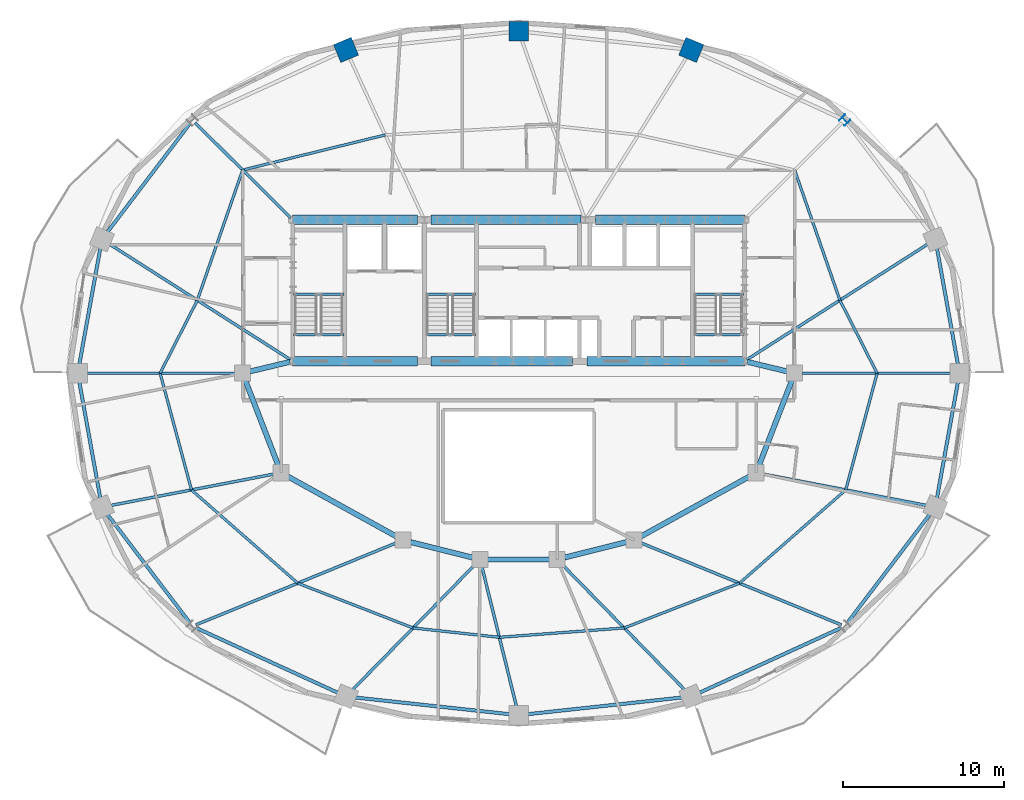
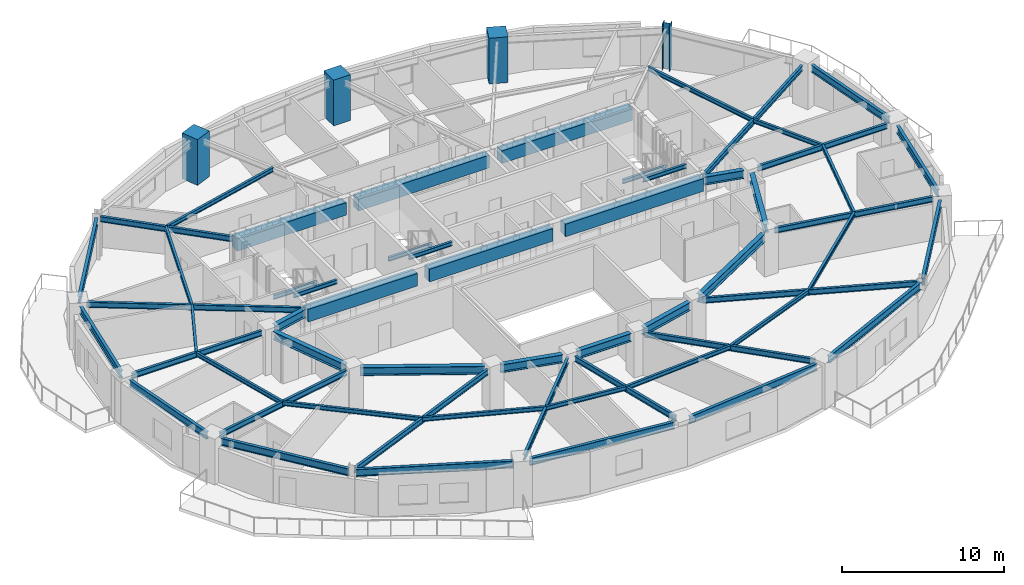
# One storey, part 2 of 10: 57 beams, 4 columns.
"""IFC4 building model written with IfcOpenShell, lengths in metres."""

from ifc_helpers import new_model, si_unit, direction, frame, origin, origin_2d, place, context, subcontext, project, spatial, rectangle, i_section, extrude, material, material_profile, profile_set, type_object, element, save


model = new_model("IFC4")

# Units and contexts
model_context = context("Model", 3, precision=1e-05, world=origin(), true_north=direction((0.0, 1.0)))
body_context = subcontext(model_context, "Body", "Model", "MODEL_VIEW")
ifc_project = project(units=[si_unit("LENGTHUNIT", "METRE"), si_unit("AREAUNIT", "SQUARE_METRE"), si_unit("VOLUMEUNIT", "CUBIC_METRE"), si_unit("PLANEANGLEUNIT", "RADIAN"), si_unit("MASSUNIT", "GRAM", prefix="KILO")], contexts=[model_context])

# Site, building, storey
site_placement = place(None, origin())
site = spatial("IfcSite", under=ifc_project, at=site_placement, CompositionType="ELEMENT")
building_placement = place(site_placement, origin())
building = spatial("IfcBuilding", under=site, at=building_placement, Name="Haldorwick Loom Tower", CompositionType="ELEMENT")
storey_placement = place(building_placement, frame((0.0, 0.0, 196.89990234375)))
storey = spatial("IfcBuildingStorey", under=building, at=storey_placement, Name="L53", CompositionType="ELEMENT", Elevation=196.89990234375)

# Columns
ifc_material_1 = material(Name="Concrete C60 (60 MPa)", Category="concrete")
ifc_material_profile_1 = material_profile(ifc_material_1, rectangle(XDim=1.199951171875, YDim=1.199951171875, at=origin_2d()), Name="RC1200X1200", Category="concrete")
ifc_profile_set_1 = profile_set([ifc_material_profile_1], Name="Concrete C60 (60 MPa)")
column_type_1 = type_object("IfcColumnType", Name="STR-COL-RC1200", PredefinedType="COLUMN", material=ifc_profile_set_1)
for number, where, z_axis, x_axis, name in (
    (1, (46.75341796875, 46.140625, 0.0), (0.0, 0.0, 1.0), (0.382683432365, 0.923879532511, 0.0), "L53 Perimeter Pier Column P04"),
    (2, (36.0, 47.304931640625, 0.0), (0.0, 0.0, 1.0), (0.0, 1.0, 0.0), "L53 Perimeter Pier Column P05"),
    (3, (25.24658203125, 46.140625, 0.0), (0.0, 0.0, 1.0), (-0.382683432365, 0.923879532511, 0.0), "L53 Perimeter Pier Column P06"),
):
    element("IfcColumn", number, at=place(storey_placement, frame(where, z_axis=z_axis, x_axis=x_axis)), inside=storey, type_object=column_type_1, Name=name, PredefinedType="COLUMN", context=body_context, shape_type="SweptSolid", body=[
        extrude(rectangle(XDim=1.199951171875, YDim=1.199951171875, at=origin_2d()), origin(), (0.0, 0.0, 1.0), 3.4501953125),
    ])
ifc_material_2 = material(Name="Steel CSA G40.21 350WT", Category="steel")
ifc_material_profile_2 = material_profile(ifc_material_2, i_section(OverallWidth=0.5, OverallDepth=0.5, WebThickness=0.02197265625, FlangeThickness=0.031982421875, at=origin_2d()), Name="WWF500X500", Category="steel")
ifc_profile_set_2 = profile_set([ifc_material_profile_2], Name="Steel CSA G40.21 350WT")
column_type_2 = type_object("IfcColumnType", Name="STR-COL-WWF500", PredefinedType="COLUMN", material=ifc_profile_set_2)
column_placement = place(storey_placement, frame((56.317626953125, 41.764892578125, 0.0), z_axis=(0.0, 0.0, 1.0), x_axis=(0.707106781187, 0.707106781187, 0.0)))
element("IfcColumn", 4, at=column_placement, inside=storey, type_object=column_type_2, Name="L53 Perimeter Pier Column P03", PredefinedType="COLUMN", context=body_context, shape_type="SweptSolid", body=[
    extrude(i_section(OverallWidth=0.5, OverallDepth=0.5, WebThickness=0.02197265625, FlangeThickness=0.031982421875, at=origin_2d()), origin(), (0.0, 0.0, 1.0), 3.4501953125),
])

# Beams
ifc_material_3 = material(Name="Concrete C50 (50 MPa)", Category="concrete")
ifc_material_profile_3 = material_profile(ifc_material_3, rectangle(XDim=0.60009765625, YDim=0.949951171875, at=origin_2d()), Name="RC600X950", Category="concrete")
ifc_profile_set_3 = profile_set([ifc_material_profile_3], Name="Concrete C50 (50 MPa)")
beam_type_1 = type_object("IfcBeamType", Name="STR-BM-CB950", PredefinedType="LINTEL", material=ifc_profile_set_3)
beam_1_placement = place(storey_placement, frame((21.89990234375, 35.550048828125, 2.695068359375), z_axis=(1.0, 0.0, 0.0), x_axis=(0.0, 1.0, 0.0)))
element("IfcBeam", 5, at=beam_1_placement, inside=storey, type_object=beam_type_1, Name="L53 Core Coupling Beam CB-N1", PredefinedType="LINTEL", context=body_context, shape_type="SweptSolid", body=[
    extrude(rectangle(XDim=0.60009765625, YDim=0.949951171875, at=origin_2d()), origin(), (0.0, 0.0, 1.0), 7.800048828125),
])
beam_2_placement = place(storey_placement, frame((30.550048828125, 35.550048828125, 2.695068359375), z_axis=(1.0, 0.0, 0.0), x_axis=(0.0, 1.0, 0.0)))
element("IfcBeam", 6, at=beam_2_placement, inside=storey, type_object=beam_type_1, Name="L53 Core Coupling Beam CB-N2", PredefinedType="LINTEL", context=body_context, shape_type="SweptSolid", body=[
    extrude(rectangle(XDim=0.60009765625, YDim=0.949951171875, at=origin_2d()), origin(), (0.0, 0.0, 1.0), 9.349853515625),
])
beam_3_placement = place(storey_placement, frame((40.800048828125, 35.550048828125, 2.695068359375), z_axis=(1.0, 0.0, 0.0), x_axis=(0.0, 1.0, 0.0)))
element("IfcBeam", 7, at=beam_3_placement, inside=storey, type_object=beam_type_1, Name="L53 Core Coupling Beam CB-N3", PredefinedType="LINTEL", context=body_context, shape_type="SweptSolid", body=[
    extrude(rectangle(XDim=0.60009765625, YDim=0.949951171875, at=origin_2d()), origin(), (0.0, 0.0, 1.0), 9.300048828125),
])
beam_4_placement = place(storey_placement, frame((21.89990234375, 26.75, 2.695068359375), z_axis=(1.0, 0.0, 0.0), x_axis=(0.0, 1.0, 0.0)))
element("IfcBeam", 8, at=beam_4_placement, inside=storey, type_object=beam_type_1, Name="L53 Core Coupling Beam CB-S1", PredefinedType="LINTEL", context=body_context, shape_type="SweptSolid", body=[
    extrude(rectangle(XDim=0.60009765625, YDim=0.949951171875, at=origin_2d()), origin(), (0.0, 0.0, 1.0), 7.800048828125),
])
beam_5_placement = place(storey_placement, frame((30.550048828125, 26.75, 2.695068359375), z_axis=(1.0, 0.0, 0.0), x_axis=(0.0, 1.0, 0.0)))
element("IfcBeam", 9, at=beam_5_placement, inside=storey, type_object=beam_type_1, Name="L53 Core Coupling Beam CB-S2", PredefinedType="LINTEL", context=body_context, shape_type="SweptSolid", body=[
    extrude(rectangle(XDim=0.60009765625, YDim=0.949951171875, at=origin_2d()), origin(), (0.0, 0.0, 1.0), 8.800048828125),
])
beam_6_placement = place(storey_placement, frame((40.25, 26.75, 2.695068359375), z_axis=(1.0, 0.0, 0.0), x_axis=(0.0, 1.0, 0.0)))
element("IfcBeam", 10, at=beam_6_placement, inside=storey, type_object=beam_type_1, Name="L53 Core Coupling Beam CB-S3", PredefinedType="LINTEL", context=body_context, shape_type="SweptSolid", body=[
    extrude(rectangle(XDim=0.60009765625, YDim=0.949951171875, at=origin_2d()), origin(), (0.0, 0.0, 1.0), 9.85009765625),
])
ifc_material_4 = material(Name="Steel CSA G40.21 350W", Category="steel")
ifc_material_profile_4 = material_profile(ifc_material_4, i_section(OverallWidth=0.166015625, OverallDepth=0.31298828125, WebThickness=0.006591796875, FlangeThickness=0.01123046875, at=origin_2d()), Name="W310X45", Category="steel")
ifc_profile_set_4 = profile_set([ifc_material_profile_4], Name="Steel CSA G40.21 350W")
beam_type_2 = type_object("IfcBeamType", Name="STR-BM-J310", PredefinedType="JOIST", material=ifc_profile_set_4)
beam_7_placement = place(storey_placement, frame((58.333251953125, 26.0, 3.013671875), z_axis=(-0.454203827517, 0.890897796085, 0.0), x_axis=(-0.890897796085, -0.454203827517, 0.0)))
element("IfcBeam", 11, at=beam_7_placement, inside=storey, type_object=beam_type_2, Name="L53 Mid-Bay Secondary Joist 1", PredefinedType="JOIST", context=body_context, shape_type="SweptSolid", body=[
    extrude(i_section(OverallWidth=0.166015625, OverallDepth=0.31298828125, WebThickness=0.006591796875, FlangeThickness=0.01123046875, at=origin_2d()), origin(), (0.0, 0.0, 1.0), 5.103271484375),
])
beam_8_placement = place(storey_placement, frame((56.015380859375, 30.54638671875, 3.013671875), z_axis=(-0.328550395803, 0.944486441098, 0.0), x_axis=(-0.944486441098, -0.328550395803, 0.0)))
element("IfcBeam", 12, at=beam_8_placement, inside=storey, type_object=beam_type_2, Name="L53 Mid-Bay Secondary Joist 2", PredefinedType="JOIST", context=body_context, shape_type="SweptSolid", body=[
    extrude(i_section(OverallWidth=0.166015625, OverallDepth=0.31298828125, WebThickness=0.006591796875, FlangeThickness=0.01123046875, at=origin_2d()), origin(), (0.0, 0.0, 1.0), 8.587890625),
])
beam_9_placement = place(storey_placement, frame((27.688232421875, 40.84521484375, 3.013671875), z_axis=(-0.970979703726, -0.239161901132, 0.0), x_axis=(0.239161901132, -0.970979703726, 0.0)))
element("IfcBeam", 13, at=beam_9_placement, inside=storey, type_object=beam_type_2, Name="L53 Mid-Bay Secondary Joist 6", PredefinedType="JOIST", context=body_context, shape_type="SweptSolid", body=[
    extrude(i_section(OverallWidth=0.166015625, OverallDepth=0.31298828125, WebThickness=0.006591796875, FlangeThickness=0.01123046875, at=origin_2d()), origin(), (0.0, 0.0, 1.0), 9.1474609375),
])
beam_10_placement = place(storey_placement, frame((18.80615234375, 38.657470703125, 3.013671875), z_axis=(-0.328550395803, -0.944486441098, 0.0), x_axis=(0.944486441098, -0.328550395803, 0.0)))
element("IfcBeam", 14, at=beam_10_placement, inside=storey, type_object=beam_type_2, Name="L53 Mid-Bay Secondary Joist 7", PredefinedType="JOIST", context=body_context, shape_type="SweptSolid", body=[
    extrude(i_section(OverallWidth=0.166015625, OverallDepth=0.31298828125, WebThickness=0.006591796875, FlangeThickness=0.01123046875, at=origin_2d()), origin(), (0.0, 0.0, 1.0), 8.587890625),
])
beam_11_placement = place(storey_placement, frame((15.984619140625, 30.54638671875, 3.013671875), z_axis=(-0.454203827517, -0.890897796085, 0.0), x_axis=(0.890897796085, -0.454203827517, 0.0)))
element("IfcBeam", 15, at=beam_11_placement, inside=storey, type_object=beam_type_2, Name="L53 Mid-Bay Secondary Joist 8", PredefinedType="JOIST", context=body_context, shape_type="SweptSolid", body=[
    extrude(i_section(OverallWidth=0.166015625, OverallDepth=0.31298828125, WebThickness=0.006591796875, FlangeThickness=0.01123046875, at=origin_2d()), origin(), (0.0, 0.0, 1.0), 5.103271484375),
])
beam_12_placement = place(storey_placement, frame((13.666748046875, 26.0, 3.013671875), z_axis=(0.259353588718, -0.965782437208, 0.0), x_axis=(0.965782437208, 0.259353588718, 0.0)))
element("IfcBeam", 16, at=beam_12_placement, inside=storey, type_object=beam_type_2, Name="L53 Mid-Bay Secondary Joist 9", PredefinedType="JOIST", context=body_context, shape_type="SweptSolid", body=[
    extrude(i_section(OverallWidth=0.166015625, OverallDepth=0.31298828125, WebThickness=0.006591796875, FlangeThickness=0.01123046875, at=origin_2d()), origin(), (0.0, 0.0, 1.0), 7.52880859375),
])
beam_13_placement = place(storey_placement, frame((15.619384765625, 18.728759765625, 3.013671875), z_axis=(0.751609427289, -0.659608420815, 0.0), x_axis=(0.659608420815, 0.751609427289, 0.0)))
element("IfcBeam", 17, at=beam_13_placement, inside=storey, type_object=beam_type_2, Name="L53 Mid-Bay Secondary Joist 10", PredefinedType="JOIST", context=body_context, shape_type="SweptSolid", body=[
    extrude(i_section(OverallWidth=0.166015625, OverallDepth=0.31298828125, WebThickness=0.006591796875, FlangeThickness=0.01123046875, at=origin_2d()), origin(), (0.0, 0.0, 1.0), 8.810302734375),
])
beam_14_placement = place(storey_placement, frame((22.2412109375, 12.91748046875, 3.013671875), z_axis=(0.932232852675, -0.36185896202, 0.0), x_axis=(0.36185896202, 0.932232852675, 0.0)))
element("IfcBeam", 18, at=beam_14_placement, inside=storey, type_object=beam_type_2, Name="L53 Mid-Bay Secondary Joist 11", PredefinedType="JOIST", context=body_context, shape_type="SweptSolid", body=[
    extrude(i_section(OverallWidth=0.166015625, OverallDepth=0.31298828125, WebThickness=0.006591796875, FlangeThickness=0.01123046875, at=origin_2d()), origin(), (0.0, 0.0, 1.0), 7.7041015625),
])
beam_15_placement = place(storey_placement, frame((29.42333984375, 10.129638671875, 3.013671875), z_axis=(0.994191913888, -0.107621737398, 0.0), x_axis=(0.107621737398, 0.994191913888, 0.0)))
element("IfcBeam", 19, at=beam_15_placement, inside=storey, type_object=beam_type_2, Name="L53 Mid-Bay Secondary Joist 12", PredefinedType="JOIST", context=body_context, shape_type="SweptSolid", body=[
    extrude(i_section(OverallWidth=0.166015625, OverallDepth=0.31298828125, WebThickness=0.006591796875, FlangeThickness=0.01123046875, at=origin_2d()), origin(), (0.0, 0.0, 1.0), 5.408203125),
])
beam_16_placement = place(storey_placement, frame((34.800048828125, 9.547607421875, 3.013671875), z_axis=(0.997210913817, 0.074635067923, 0.0), x_axis=(-0.074635067923, 0.997210913817, 0.0)))
element("IfcBeam", 20, at=beam_16_placement, inside=storey, type_object=beam_type_2, Name="L53 Mid-Bay Secondary Joist 13", PredefinedType="JOIST", context=body_context, shape_type="SweptSolid", body=[
    extrude(i_section(OverallWidth=0.166015625, OverallDepth=0.31298828125, WebThickness=0.006591796875, FlangeThickness=0.01123046875, at=origin_2d()), origin(), (0.0, 0.0, 1.0), 7.79833984375),
])
beam_17_placement = place(storey_placement, frame((42.57666015625, 10.129638671875, 3.013671875), z_axis=(0.932232852675, 0.36185896202, 0.0), x_axis=(-0.36185896202, 0.932232852675, 0.0)))
element("IfcBeam", 21, at=beam_17_placement, inside=storey, type_object=beam_type_2, Name="L53 Mid-Bay Secondary Joist 14", PredefinedType="JOIST", context=body_context, shape_type="SweptSolid", body=[
    extrude(i_section(OverallWidth=0.166015625, OverallDepth=0.31298828125, WebThickness=0.006591796875, FlangeThickness=0.01123046875, at=origin_2d()), origin(), (0.0, 0.0, 1.0), 7.7041015625),
])
beam_18_placement = place(storey_placement, frame((49.7587890625, 12.91748046875, 3.013671875), z_axis=(0.751609427289, 0.659608420815, 0.0), x_axis=(-0.659608420815, 0.751609427289, 0.0)))
element("IfcBeam", 22, at=beam_18_placement, inside=storey, type_object=beam_type_2, Name="L53 Mid-Bay Secondary Joist 15", PredefinedType="JOIST", context=body_context, shape_type="SweptSolid", body=[
    extrude(i_section(OverallWidth=0.166015625, OverallDepth=0.31298828125, WebThickness=0.006591796875, FlangeThickness=0.01123046875, at=origin_2d()), origin(), (0.0, 0.0, 1.0), 8.810302734375),
])
beam_19_placement = place(storey_placement, frame((56.380615234375, 18.728759765625, 3.013671875), z_axis=(0.259353588718, 0.965782437208, 0.0), x_axis=(-0.965782437208, 0.259353588718, 0.0)))
element("IfcBeam", 23, at=beam_19_placement, inside=storey, type_object=beam_type_2, Name="L53 Mid-Bay Secondary Joist 16", PredefinedType="JOIST", context=body_context, shape_type="SweptSolid", body=[
    extrude(i_section(OverallWidth=0.166015625, OverallDepth=0.31298828125, WebThickness=0.006591796875, FlangeThickness=0.01123046875, at=origin_2d()), origin(), (0.0, 0.0, 1.0), 7.52880859375),
])
ifc_material_profile_5 = material_profile(ifc_material_4, i_section(OverallWidth=0.179931640625, OverallDepth=0.4130859375, WebThickness=0.009765625, FlangeThickness=0.01611328125, at=origin_2d()), Name="W410X74", Category="steel")
ifc_profile_set_5 = profile_set([ifc_material_profile_5], Name="Steel CSA G40.21 350W")
beam_type_3 = type_object("IfcBeamType", Name="STR-BM-J410", PredefinedType="JOIST", material=ifc_profile_set_5)
beam_20_placement = place(storey_placement, frame((53.675048828125, 26.0, 2.963623046875), z_axis=(1.0, 0.0, 0.0), x_axis=(0.0, 1.0, 0.0)))
element("IfcBeam", 24, at=beam_20_placement, inside=storey, type_object=beam_type_3, Name="L53 Radial Floor Girder 1", PredefinedType="JOIST", context=body_context, shape_type="SweptSolid", body=[
    extrude(i_section(OverallWidth=0.179931640625, OverallDepth=0.4130859375, WebThickness=0.009765625, FlangeThickness=0.01611328125, at=origin_2d()), origin(), (0.0, 0.0, 1.0), 9.271240234375),
])
beam_21_placement = place(storey_placement, frame((50.219970703125, 26.845703125, 2.963623046875), z_axis=(0.842836647066, 0.538169477361, 0.0), x_axis=(-0.538169477361, 0.842836647066, 0.0)))
element("IfcBeam", 25, at=beam_21_placement, inside=storey, type_object=beam_type_3, Name="L53 Radial Floor Girder 2", PredefinedType="JOIST", context=body_context, shape_type="SweptSolid", body=[
    extrude(i_section(OverallWidth=0.179931640625, OverallDepth=0.4130859375, WebThickness=0.009765625, FlangeThickness=0.01611328125, at=origin_2d()), origin(), (0.0, 0.0, 1.0), 13.410400390625),
])
beam_22_placement = place(storey_placement, frame((21.8037109375, 35.675537109375, 2.963623046875), z_axis=(-0.708962390492, 0.70524628951, 0.0), x_axis=(-0.70524628951, -0.708962390492, 0.0)))
element("IfcBeam", 26, at=beam_22_placement, inside=storey, type_object=beam_type_3, Name="L53 Radial Floor Girder 7", PredefinedType="JOIST", context=body_context, shape_type="SweptSolid", body=[
    extrude(i_section(OverallWidth=0.179931640625, OverallDepth=0.4130859375, WebThickness=0.009765625, FlangeThickness=0.01611328125, at=origin_2d()), origin(), (0.0, 0.0, 1.0), 8.409423828125),
])
beam_23_placement = place(storey_placement, frame((21.780029296875, 26.845703125, 2.963623046875), z_axis=(-0.842836647066, 0.538169477361, 0.0), x_axis=(-0.538169477361, -0.842836647066, 0.0)))
element("IfcBeam", 27, at=beam_23_placement, inside=storey, type_object=beam_type_3, Name="L53 Radial Floor Girder 8", PredefinedType="JOIST", context=body_context, shape_type="SweptSolid", body=[
    extrude(i_section(OverallWidth=0.179931640625, OverallDepth=0.4130859375, WebThickness=0.009765625, FlangeThickness=0.01611328125, at=origin_2d()), origin(), (0.0, 0.0, 1.0), 13.410400390625),
])
beam_24_placement = place(storey_placement, frame((18.324951171875, 26.0, 2.963623046875), z_axis=(-1.0, 0.0, 0.0), x_axis=(0.0, -1.0, 0.0)))
element("IfcBeam", 28, at=beam_24_placement, inside=storey, type_object=beam_type_3, Name="L53 Radial Floor Girder 9", PredefinedType="JOIST", context=body_context, shape_type="SweptSolid", body=[
    extrude(i_section(OverallWidth=0.179931640625, OverallDepth=0.4130859375, WebThickness=0.009765625, FlangeThickness=0.01611328125, at=origin_2d()), origin(), (0.0, 0.0, 1.0), 9.271240234375),
])
beam_25_placement = place(storey_placement, frame((20.7333984375, 19.71044921875, 2.963623046875), z_axis=(-0.982069869785, -0.188517295919, 0.0), x_axis=(0.188517295919, -0.982069869785, 0.0)))
element("IfcBeam", 29, at=beam_25_placement, inside=storey, type_object=beam_type_3, Name="L53 Radial Floor Girder 10", PredefinedType="JOIST", context=body_context, shape_type="SweptSolid", body=[
    extrude(i_section(OverallWidth=0.179931640625, OverallDepth=0.4130859375, WebThickness=0.009765625, FlangeThickness=0.01611328125, at=origin_2d()), origin(), (0.0, 0.0, 1.0), 10.36962890625),
])
beam_26_placement = place(storey_placement, frame((28.3603515625, 15.420166015625, 2.963623046875), z_axis=(-0.925583323606, -0.378543935445, 0.0), x_axis=(0.378543935445, -0.925583323606, 0.0)))
element("IfcBeam", 30, at=beam_26_placement, inside=storey, type_object=beam_type_3, Name="L53 Radial Floor Girder 11", PredefinedType="JOIST", context=body_context, shape_type="SweptSolid", body=[
    extrude(i_section(OverallWidth=0.179931640625, OverallDepth=0.4130859375, WebThickness=0.009765625, FlangeThickness=0.01611328125, at=origin_2d()), origin(), (0.0, 0.0, 1.0), 13.47216796875),
])
beam_27_placement = place(storey_placement, frame((33.267822265625, 14.060302734375, 2.963623046875), z_axis=(-0.699238682239, -0.714888288658, 0.0), x_axis=(0.714888288658, -0.699238682239, 0.0)))
element("IfcBeam", 31, at=beam_27_placement, inside=storey, type_object=beam_type_3, Name="L53 Radial Floor Girder 12", PredefinedType="JOIST", context=body_context, shape_type="SweptSolid", body=[
    extrude(i_section(OverallWidth=0.179931640625, OverallDepth=0.4130859375, WebThickness=0.009765625, FlangeThickness=0.01611328125, at=origin_2d()), origin(), (0.0, 0.0, 1.0), 10.951416015625),
])
beam_28_placement = place(storey_placement, frame((33.714111328125, 13.93896484375, 2.963623046875), z_axis=(0.240059013303, -0.970758296453, 0.0), x_axis=(0.970758296453, 0.240059013303, 0.0)))
element("IfcBeam", 32, at=beam_28_placement, inside=storey, type_object=beam_type_3, Name="L53 Radial Floor Girder 13", PredefinedType="JOIST", context=body_context, shape_type="SweptSolid", body=[
    extrude(i_section(OverallWidth=0.179931640625, OverallDepth=0.4130859375, WebThickness=0.009765625, FlangeThickness=0.01611328125, at=origin_2d()), origin(), (0.0, 0.0, 1.0), 9.00244140625),
])
beam_29_placement = place(storey_placement, frame((38.732177734375, 14.060302734375, 2.963623046875), z_axis=(0.699238682239, -0.714888288658, 0.0), x_axis=(0.714888288658, 0.699238682239, 0.0)))
element("IfcBeam", 33, at=beam_29_placement, inside=storey, type_object=beam_type_3, Name="L53 Radial Floor Girder 14", PredefinedType="JOIST", context=body_context, shape_type="SweptSolid", body=[
    extrude(i_section(OverallWidth=0.179931640625, OverallDepth=0.4130859375, WebThickness=0.009765625, FlangeThickness=0.01611328125, at=origin_2d()), origin(), (0.0, 0.0, 1.0), 10.951416015625),
])
beam_30_placement = place(storey_placement, frame((43.6396484375, 15.420166015625, 2.963623046875), z_axis=(0.925583323606, -0.378543935445, 0.0), x_axis=(0.378543935445, 0.925583323606, 0.0)))
element("IfcBeam", 34, at=beam_30_placement, inside=storey, type_object=beam_type_3, Name="L53 Radial Floor Girder 15", PredefinedType="JOIST", context=body_context, shape_type="SweptSolid", body=[
    extrude(i_section(OverallWidth=0.179931640625, OverallDepth=0.4130859375, WebThickness=0.009765625, FlangeThickness=0.01611328125, at=origin_2d()), origin(), (0.0, 0.0, 1.0), 13.47216796875),
])
beam_31_placement = place(storey_placement, frame((51.2666015625, 19.71044921875, 2.963623046875), z_axis=(0.982069869785, -0.188517295919, 0.0), x_axis=(0.188517295919, 0.982069869785, 0.0)))
element("IfcBeam", 35, at=beam_31_placement, inside=storey, type_object=beam_type_3, Name="L53 Radial Floor Girder 16", PredefinedType="JOIST", context=body_context, shape_type="SweptSolid", body=[
    extrude(i_section(OverallWidth=0.179931640625, OverallDepth=0.4130859375, WebThickness=0.009765625, FlangeThickness=0.01611328125, at=origin_2d()), origin(), (0.0, 0.0, 1.0), 10.36962890625),
])
ifc_material_profile_6 = material_profile(ifc_material_4, i_section(OverallWidth=0.2119140625, OverallDepth=0.5439453125, WebThickness=0.01318359375, FlangeThickness=0.021240234375, at=origin_2d()), Name="W530X123", Category="steel")
ifc_profile_set_6 = profile_set([ifc_material_profile_6], Name="Steel CSA G40.21 350W")
beam_type_4 = type_object("IfcBeamType", Name="STR-BM-SP530", PredefinedType="SPANDREL", material=ifc_profile_set_6)
beam_32_placement = place(storey_placement, frame((63.3740234375, 26.51171875, 2.898193359375), z_axis=(-0.1775911332, 0.984104359003, 0.0), x_axis=(-0.984104359003, -0.1775911332, 0.0)))
element("IfcBeam", 36, at=beam_32_placement, inside=storey, type_object=beam_type_4, Name="L53 Perimeter Spandrel 1", PredefinedType="SPANDREL", context=body_context, shape_type="SweptSolid", body=[
    extrude(i_section(OverallWidth=0.2119140625, OverallDepth=0.5439453125, WebThickness=0.01318359375, FlangeThickness=0.021240234375, at=origin_2d()), origin(), (0.0, 0.0, 1.0), 7.437255859375),
])
beam_33_placement = place(storey_placement, frame((15.546142578125, 41.585693359375, 2.898193359375), z_axis=(-0.605236944797, -0.796045376001, 0.0), x_axis=(0.796045376001, -0.605236944797, 0.0)))
element("IfcBeam", 37, at=beam_33_placement, inside=storey, type_object=beam_type_4, Name="L53 Perimeter Spandrel 7", PredefinedType="SPANDREL", context=body_context, shape_type="SweptSolid", body=[
    extrude(i_section(OverallWidth=0.2119140625, OverallDepth=0.5439453125, WebThickness=0.01318359375, FlangeThickness=0.021240234375, at=origin_2d()), origin(), (0.0, 0.0, 1.0), 8.5791015625),
])
for number, where, z_axis, x_axis, name in (
    (38, (9.94677734375, 33.830810546875, 2.898193359375), (-0.1775911332, -0.984104359003, 0.0), (0.984104359003, -0.1775911332, 0.0), "L53 Perimeter Spandrel 8"),
    (39, (8.6259765625, 25.48828125, 2.898193359375), (0.1775911332, -0.984104359003, 0.0), (0.984104359003, 0.1775911332, 0.0), "L53 Perimeter Spandrel 9"),
):
    element("IfcBeam", number, at=place(storey_placement, frame(where, z_axis=z_axis, x_axis=x_axis)), inside=storey, type_object=beam_type_4, Name=name, PredefinedType="SPANDREL", context=body_context, shape_type="SweptSolid", body=[
        extrude(i_section(OverallWidth=0.2119140625, OverallDepth=0.5439453125, WebThickness=0.01318359375, FlangeThickness=0.021240234375, at=origin_2d()), origin(), (0.0, 0.0, 1.0), 7.437255859375),
    ])
beam_34_placement = place(storey_placement, frame((10.353759765625, 17.24365234375, 2.898193359375), z_axis=(0.605236944797, -0.796045376001, 0.0), x_axis=(0.796045376001, 0.605236944797, 0.0)))
element("IfcBeam", 40, at=beam_34_placement, inside=storey, type_object=beam_type_4, Name="L53 Perimeter Spandrel 10", PredefinedType="SPANDREL", context=body_context, shape_type="SweptSolid", body=[
    extrude(i_section(OverallWidth=0.2119140625, OverallDepth=0.5439453125, WebThickness=0.01318359375, FlangeThickness=0.021240234375, at=origin_2d()), origin(), (0.0, 0.0, 1.0), 8.5791015625),
])
beam_35_placement = place(storey_placement, frame((15.886962890625, 10.1416015625, 2.898193359375), z_axis=(0.909342182232, -0.416049030299, 0.0), x_axis=(0.416049030299, 0.909342182232, 0.0)))
element("IfcBeam", 41, at=beam_35_placement, inside=storey, type_object=beam_type_4, Name="L53 Perimeter Spandrel 11", PredefinedType="SPANDREL", context=body_context, shape_type="SweptSolid", body=[
    extrude(i_section(OverallWidth=0.2119140625, OverallDepth=0.5439453125, WebThickness=0.01318359375, FlangeThickness=0.021240234375, at=origin_2d()), origin(), (0.0, 0.0, 1.0), 9.772705078125),
])
for number, where, z_axis, x_axis, name in (
    (42, (25.763671875, 5.803466796875, 2.898193359375), (0.994187774205, -0.107659972233, 0.0), (0.107659972233, 0.994187774205, 0.0), "L53 Perimeter Spandrel 12"),
    (43, (36.51708984375, 4.7509765625, 2.898193359375), (0.994187774205, 0.107659972233, 0.0), (-0.107659972233, 0.994187774205, 0.0), "L53 Perimeter Spandrel 13"),
):
    element("IfcBeam", number, at=place(storey_placement, frame(where, z_axis=z_axis, x_axis=x_axis)), inside=storey, type_object=beam_type_4, Name=name, PredefinedType="SPANDREL", context=body_context, shape_type="SweptSolid", body=[
        extrude(i_section(OverallWidth=0.2119140625, OverallDepth=0.5439453125, WebThickness=0.01318359375, FlangeThickness=0.021240234375, at=origin_2d()), origin(), (0.0, 0.0, 1.0), 9.776123046875),
    ])
beam_36_placement = place(storey_placement, frame((47.226318359375, 6.07568359375, 2.898193359375), z_axis=(0.909342182232, 0.416049030299, 0.0), x_axis=(-0.416049030299, 0.909342182232, 0.0)))
element("IfcBeam", 44, at=beam_36_placement, inside=storey, type_object=beam_type_4, Name="L53 Perimeter Spandrel 14", PredefinedType="SPANDREL", context=body_context, shape_type="SweptSolid", body=[
    extrude(i_section(OverallWidth=0.2119140625, OverallDepth=0.5439453125, WebThickness=0.01318359375, FlangeThickness=0.021240234375, at=origin_2d()), origin(), (0.0, 0.0, 1.0), 9.772705078125),
])
beam_37_placement = place(storey_placement, frame((56.453857421875, 10.414306640625, 2.898193359375), z_axis=(0.605236944797, 0.796045376001, 0.0), x_axis=(-0.796045376001, 0.605236944797, 0.0)))
element("IfcBeam", 45, at=beam_37_placement, inside=storey, type_object=beam_type_4, Name="L53 Perimeter Spandrel 15", PredefinedType="SPANDREL", context=body_context, shape_type="SweptSolid", body=[
    extrude(i_section(OverallWidth=0.2119140625, OverallDepth=0.5439453125, WebThickness=0.01318359375, FlangeThickness=0.021240234375, at=origin_2d()), origin(), (0.0, 0.0, 1.0), 8.5791015625),
])
beam_38_placement = place(storey_placement, frame((62.05322265625, 18.169189453125, 2.898193359375), z_axis=(0.1775911332, 0.984104359003, 0.0), x_axis=(-0.984104359003, 0.1775911332, 0.0)))
element("IfcBeam", 46, at=beam_38_placement, inside=storey, type_object=beam_type_4, Name="L53 Perimeter Spandrel 16", PredefinedType="SPANDREL", context=body_context, shape_type="SweptSolid", body=[
    extrude(i_section(OverallWidth=0.2119140625, OverallDepth=0.5439453125, WebThickness=0.01318359375, FlangeThickness=0.021240234375, at=origin_2d()), origin(), (0.0, 0.0, 1.0), 7.437255859375),
])
ifc_material_profile_7 = material_profile(ifc_material_4, i_section(OverallWidth=0.166015625, OverallDepth=0.31298828125, WebThickness=0.006591796875, FlangeThickness=0.01123046875, at=origin_2d()), Name="W310X45", Category="steel")
ifc_profile_set_7 = profile_set([ifc_material_profile_7], Name="Steel CSA G40.21 350W")
beam_type_5 = type_object("IfcBeamType", Name="STR-BM-STRM", PredefinedType="BEAM", material=ifc_profile_set_7)
for number, where, z_axis, x_axis, name in (
    (47, (21.989990234375, 28.39990234375, 3.013671875), (1.0, 0.0, 0.0), (0.0, 1.0, 0.0), "L53 Stair ST-01 Landing Edge Trimmer"),
    (48, (21.989990234375, 30.919921875, 1.36865234375), (1.0, 0.0, 0.0), (0.0, 1.0, 0.0), "L53 Stair ST-01 Half-Landing Trimmer 1"),
    (49, (46.889892578125, 28.39990234375, 3.013671875), (1.0, 0.0, 0.0), (0.0, 1.0, 0.0), "L53 Stair ST-02 Landing Edge Trimmer"),
    (50, (46.889892578125, 30.919921875, 1.36865234375), (1.0, 0.0, 0.0), (0.0, 1.0, 0.0), "L53 Stair ST-02 Half-Landing Trimmer 1"),
    (51, (30.18994140625, 28.39990234375, 3.013671875), (1.0, 0.0, 0.0), (0.0, 1.0, 0.0), "L53 Stair ST-03 Landing Edge Trimmer"),
    (52, (30.18994140625, 30.919921875, 1.36865234375), (1.0, 0.0, 0.0), (0.0, 1.0, 0.0), "L53 Stair ST-03 Half-Landing Trimmer 1"),
):
    element("IfcBeam", number, at=place(storey_placement, frame(where, z_axis=z_axis, x_axis=x_axis)), inside=storey, type_object=beam_type_5, Name=name, PredefinedType="BEAM", context=body_context, shape_type="SweptSolid", body=[
        extrude(i_section(OverallWidth=0.166015625, OverallDepth=0.31298828125, WebThickness=0.006591796875, FlangeThickness=0.01123046875, at=origin_2d()), origin(), (0.0, 0.0, 1.0), 3.1201171875),
    ])
ifc_material_profile_8 = material_profile(ifc_material_4, i_section(OverallWidth=0.324951171875, OverallDepth=0.615966796875, WebThickness=0.013916015625, FlangeThickness=0.021484375, at=origin_2d()), Name="W610X174", Category="steel")
ifc_profile_set_8 = profile_set([ifc_material_profile_8], Name="Steel CSA G40.21 350W")
beam_type_6 = type_object("IfcBeamType", Name="STR-BM-W610A", PredefinedType="BEAM", material=ifc_profile_set_8)
beam_39_placement = place(storey_placement, frame((50.2431640625, 26.70849609375, 2.862060546875), z_axis=(0.972464127734, -0.233052612665, 0.0), x_axis=(0.233052612665, 0.972464127734, 0.0)))
element("IfcBeam", 53, at=beam_39_placement, inside=storey, type_object=beam_type_6, Name="L53 Inner Ring Girder 1", PredefinedType="BEAM", context=body_context, shape_type="SweptSolid", body=[
    extrude(i_section(OverallWidth=0.324951171875, OverallDepth=0.615966796875, WebThickness=0.013916015625, FlangeThickness=0.021484375, at=origin_2d()), origin(), (0.0, 0.0, 1.0), 2.5654296875),
])
beam_40_placement = place(storey_placement, frame((53.028564453125, 25.556884765625, 2.862060546875), z_axis=(-0.36101093026, -0.93256158415, 0.0), x_axis=(0.93256158415, -0.36101093026, 0.0)))
element("IfcBeam", 54, at=beam_40_placement, inside=storey, type_object=beam_type_6, Name="L53 Inner Ring Girder 2", PredefinedType="BEAM", context=body_context, shape_type="SweptSolid", body=[
    extrude(i_section(OverallWidth=0.324951171875, OverallDepth=0.615966796875, WebThickness=0.013916015625, FlangeThickness=0.021484375, at=origin_2d()), origin(), (0.0, 0.0, 1.0), 5.6982421875),
])
beam_41_placement = place(storey_placement, frame((50.38427734375, 19.5703125, 2.862060546875), z_axis=(-0.875243645673, -0.483682293152, 0.0), x_axis=(0.483682293152, -0.875243645673, 0.0)))
element("IfcBeam", 55, at=beam_41_placement, inside=storey, type_object=beam_type_6, Name="L53 Inner Ring Girder 3", PredefinedType="BEAM", context=body_context, shape_type="SweptSolid", body=[
    extrude(i_section(OverallWidth=0.324951171875, OverallDepth=0.615966796875, WebThickness=0.013916015625, FlangeThickness=0.021484375, at=origin_2d()), origin(), (0.0, 0.0, 1.0), 7.7333984375),
])
beam_42_placement = place(storey_placement, frame((42.7392578125, 15.48486328125, 2.862060546875), z_axis=(-0.970135315182, -0.242564363081, 0.0), x_axis=(0.242564363081, -0.970135315182, 0.0)))
element("IfcBeam", 56, at=beam_42_placement, inside=storey, type_object=beam_type_6, Name="L53 Inner Ring Girder 4", PredefinedType="BEAM", context=body_context, shape_type="SweptSolid", body=[
    extrude(i_section(OverallWidth=0.324951171875, OverallDepth=0.615966796875, WebThickness=0.013916015625, FlangeThickness=0.021484375, at=origin_2d()), origin(), (0.0, 0.0, 1.0), 3.997802734375),
])
beam_43_placement = place(storey_placement, frame((37.925048828125, 14.39990234375, 2.862060546875), z_axis=(-1.0, 0.0, 0.0), x_axis=(0.0, -1.0, 0.0)))
element("IfcBeam", 57, at=beam_43_placement, inside=storey, type_object=beam_type_6, Name="L53 Inner Ring Girder 5", PredefinedType="BEAM", context=body_context, shape_type="SweptSolid", body=[
    extrude(i_section(OverallWidth=0.324951171875, OverallDepth=0.615966796875, WebThickness=0.013916015625, FlangeThickness=0.021484375, at=origin_2d()), origin(), (0.0, 0.0, 1.0), 3.85009765625),
])
beam_44_placement = place(storey_placement, frame((33.13916015625, 14.51513671875, 2.862060546875), z_axis=(-0.970135315182, 0.242564363081, 0.0), x_axis=(-0.242564363081, -0.970135315182, 0.0)))
element("IfcBeam", 58, at=beam_44_placement, inside=storey, type_object=beam_type_6, Name="L53 Inner Ring Girder 6", PredefinedType="BEAM", context=body_context, shape_type="SweptSolid", body=[
    extrude(i_section(OverallWidth=0.324951171875, OverallDepth=0.615966796875, WebThickness=0.013916015625, FlangeThickness=0.021484375, at=origin_2d()), origin(), (0.0, 0.0, 1.0), 3.997802734375),
])
beam_45_placement = place(storey_placement, frame((28.38427734375, 15.829833984375, 2.862060546875), z_axis=(-0.875243645673, 0.483682293152, 0.0), x_axis=(-0.483682293152, -0.875243645673, 0.0)))
element("IfcBeam", 59, at=beam_45_placement, inside=storey, type_object=beam_type_6, Name="L53 Inner Ring Girder 7", PredefinedType="BEAM", context=body_context, shape_type="SweptSolid", body=[
    extrude(i_section(OverallWidth=0.324951171875, OverallDepth=0.615966796875, WebThickness=0.013916015625, FlangeThickness=0.021484375, at=origin_2d()), origin(), (0.0, 0.0, 1.0), 7.7333984375),
])
beam_46_placement = place(storey_placement, frame((21.028564453125, 20.242919921875, 2.862060546875), z_axis=(-0.36101093026, 0.93256158415, 0.0), x_axis=(-0.93256158415, -0.36101093026, 0.0)))
element("IfcBeam", 60, at=beam_46_placement, inside=storey, type_object=beam_type_6, Name="L53 Inner Ring Girder 8", PredefinedType="BEAM", context=body_context, shape_type="SweptSolid", body=[
    extrude(i_section(OverallWidth=0.324951171875, OverallDepth=0.615966796875, WebThickness=0.013916015625, FlangeThickness=0.021484375, at=origin_2d()), origin(), (0.0, 0.0, 1.0), 5.6982421875),
])
beam_47_placement = place(storey_placement, frame((19.261962890625, 26.110595703125, 2.862060546875), z_axis=(0.972464127734, 0.233052612665, 0.0), x_axis=(-0.233052612665, 0.972464127734, 0.0)))
element("IfcBeam", 61, at=beam_47_placement, inside=storey, type_object=beam_type_6, Name="L53 Inner Ring Girder 9", PredefinedType="BEAM", context=body_context, shape_type="SweptSolid", body=[
    extrude(i_section(OverallWidth=0.324951171875, OverallDepth=0.615966796875, WebThickness=0.013916015625, FlangeThickness=0.021484375, at=origin_2d()), origin(), (0.0, 0.0, 1.0), 2.5654296875),
])

save(model, "model.ifc")
